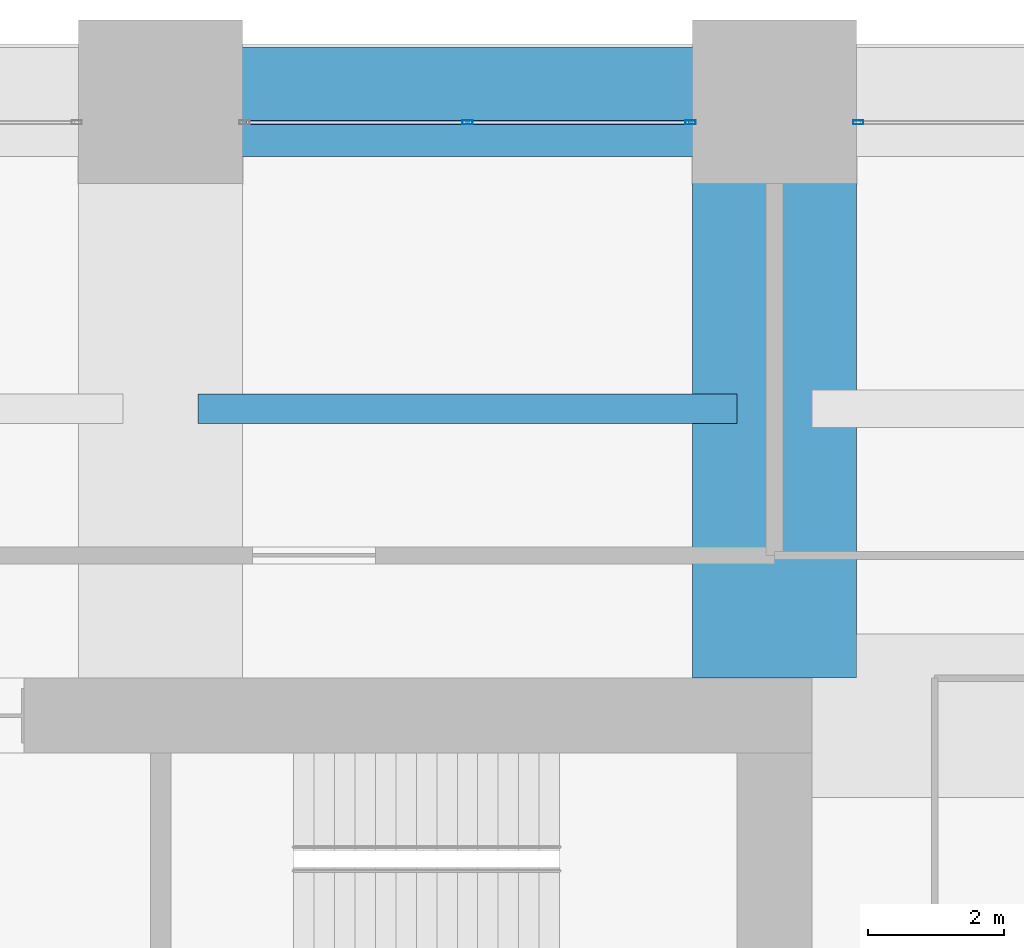
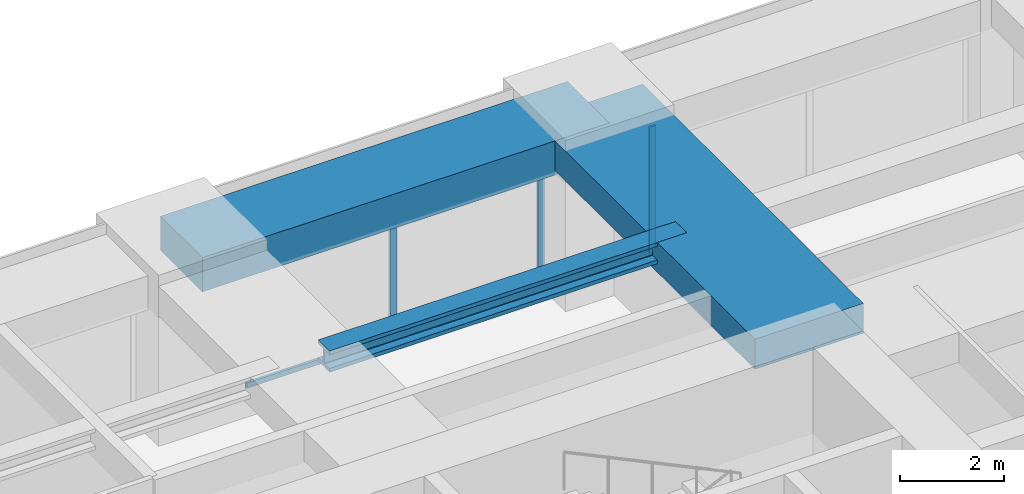
# One storey, part 31 of 42: 4 members, 3 beams, 2 elements without a shape of their own.
"""IFC4 building model written with IfcOpenShell, lengths in metres."""

from ifc_helpers import new_model, si_unit, direction, frame, origin, origin_2d, place, context, subcontext, project, spatial, rectangle, hollow_rectangle, i_section, extrude, material, material_profile, profile_set, type_object, element, aggregate, save


model = new_model("IFC4")

# Units and contexts
model_context = context("Model", 3, precision=1e-05, world=origin(), true_north=direction((0.0, 1.0)))
body_context = subcontext(model_context, "Body", "Model", "MODEL_VIEW")
ifc_project = project(units=[si_unit("LENGTHUNIT", "METRE"), si_unit("AREAUNIT", "SQUARE_METRE"), si_unit("VOLUMEUNIT", "CUBIC_METRE"), si_unit("PLANEANGLEUNIT", "RADIAN"), si_unit("MASSUNIT", "GRAM", prefix="KILO")], contexts=[model_context])

# Site, building, storey
site_placement = place(None, origin())
site = spatial("IfcSite", under=ifc_project, at=site_placement, CompositionType="ELEMENT")
building_placement = place(site_placement, origin())
building = spatial("IfcBuilding", under=site, at=building_placement, Name="Zorevar Civic Tower", CompositionType="ELEMENT")
storey_placement = place(building_placement, frame((0.0, 0.0, 149.0)))
storey = spatial("IfcBuildingStorey", under=building, at=storey_placement, Name="L36", CompositionType="ELEMENT", Elevation=149.0)

# Beam
ifc_material_1 = material(Name="Concrete C50/60", Category="concrete")
ifc_material_profile_1 = material_profile(ifc_material_1, rectangle(XDim=2.39990234375, YDim=0.699951171875, at=origin_2d()), Name="RC 2400x700")
ifc_profile_set_1 = profile_set([ifc_material_profile_1], Name="Concrete C50/60")
beam_type_1 = type_object("IfcBeamType", Name="Beam RC 2400x700", PredefinedType="BEAM", material=ifc_profile_set_1)
beam_1_placement = place(storey_placement, frame((45.0, 36.550048828125, 3.39990234375), z_axis=(0.0, 1.0, 0.0), x_axis=(-1.0, 0.0, 0.0)))
element("IfcBeam", 1, at=beam_1_placement, inside=storey, type_object=beam_type_1, Name="Girder L37", PredefinedType="BEAM", context=body_context, shape_type="SweptSolid", body=[
    extrude(rectangle(XDim=2.39990234375, YDim=0.699951171875, at=origin_2d()), origin(), (0.0, 0.0, 1.0), 8.449951171875),
])

# Curtain wall, members
ifc_material_2 = material(Name="Dark grey solar-control glass in black aluminium frame", Category="aluminium")
curtain_wall_type = type_object("IfcCurtainWallType", Name="Curtain wall CW3 mid zone", PredefinedType="NOTDEFINED", material=ifc_material_2)
curtain_wall_1_placement = place(storey_placement, origin())
curtain_wall_1 = element("IfcCurtainWall", 2, at=curtain_wall_1_placement, inside=storey, type_object=curtain_wall_type, Name="CW3 L36", PredefinedType="NOTDEFINED")
ifc_material_3 = material(Name="Aluminium, black anodised", Category="aluminium")
ifc_material_profile_2 = material_profile(ifc_material_3, hollow_rectangle(XDim=0.06005859375, YDim=0.14990234375, WallThickness=0.00390625, at=origin_2d()), Name="AL 150x60x4")
ifc_profile_set_2 = profile_set([ifc_material_profile_2], Name="Aluminium, black anodised")
member_type_1 = type_object("IfcMemberType", Name="CW3 mullion AL 150x60x4", PredefinedType="MULLION", material=ifc_profile_set_2)
member_1_placement = place(storey_placement, frame((40.5, 44.699951171875, 0.06005859375), z_axis=(0.0, 0.0, 1.0), x_axis=(0.0, 1.0, 0.0)))
member_1 = element("IfcMember", 3, at=member_1_placement, type_object=member_type_1, Name="CW3 mullion 2", PredefinedType="MULLION", context=body_context, shape_type="SweptSolid", body=[
    extrude(hollow_rectangle(XDim=0.06005859375, YDim=0.14990234375, WallThickness=0.00390625, at=origin_2d()), origin(), (0.0, 0.0, 1.0), 2.889892578125),
])
member_2_placement = place(storey_placement, frame((43.77001953125, 44.699951171875, 0.0), z_axis=(0.0, 0.0, 1.0), x_axis=(0.0, 1.0, 0.0)))
member_2 = element("IfcMember", 4, at=member_2_placement, type_object=member_type_1, Name="CW3 mullion 3", PredefinedType="MULLION", context=body_context, shape_type="SweptSolid", body=[
    extrude(hollow_rectangle(XDim=0.06005859375, YDim=0.14990234375, WallThickness=0.00390625, at=origin_2d()), origin(), (0.0, 0.0, 1.0), 2.949951171875),
])

# Curtain wall, member
curtain_wall_2_placement = place(storey_placement, origin())
curtain_wall_2 = element("IfcCurtainWall", 5, at=curtain_wall_2_placement, inside=storey, type_object=curtain_wall_type, Name="CW3 L36", PredefinedType="NOTDEFINED")
member_3_placement = place(storey_placement, frame((46.22998046875, 44.699951171875, 0.0), z_axis=(0.0, 0.0, 1.0), x_axis=(0.0, 1.0, 0.0)))
member_3 = element("IfcMember", 6, at=member_3_placement, type_object=member_type_1, Name="CW3 mullion 1", PredefinedType="MULLION", context=body_context, shape_type="SweptSolid", body=[
    extrude(hollow_rectangle(XDim=0.06005859375, YDim=0.14990234375, WallThickness=0.00390625, at=origin_2d()), origin(), (0.0, 0.0, 1.0), 2.949951171875),
])
aggregate(curtain_wall_2, [member_3])

# Member
ifc_material_4 = material(Name="Aluminium, black anodised", Category="aluminium")
ifc_material_profile_3 = material_profile(ifc_material_4, hollow_rectangle(XDim=0.06005859375, YDim=0.1201171875, WallThickness=0.0029296875, at=origin_2d()), Name="AL 120x60x3")
ifc_profile_set_3 = profile_set([ifc_material_profile_3], Name="Aluminium, black anodised")
member_type_2 = type_object("IfcMemberType", Name="CW3 transom AL 120x60x3", PredefinedType="USERDEFINED", material=ifc_profile_set_3)
member_4_placement = place(storey_placement, frame((37.260009765625, 44.699951171875, 0.030029296875), z_axis=(1.0, 0.0, 0.0), x_axis=(0.0, 1.0, 0.0)))
member_4 = element("IfcMember", 7, at=member_4_placement, type_object=member_type_2, Name="CW3 sill transom", ObjectType="TRANSOM", PredefinedType="USERDEFINED", context=body_context, shape_type="SweptSolid", body=[
    extrude(hollow_rectangle(XDim=0.06005859375, YDim=0.1201171875, WallThickness=0.0029296875, at=origin_2d()), origin(), (0.0, 0.0, 1.0), 6.47998046875),
])

aggregate(curtain_wall_1, [member_1, member_2, member_4])

# Beams
ifc_material_5 = material(Name="Steel S460M (HISTAR 460)", Category="steel")
ifc_material_profile_4 = material_profile(ifc_material_5, i_section(OverallWidth=0.431884765625, OverallDepth=0.498046875, WebThickness=0.0556640625, FlangeThickness=0.0888671875, FilletRadius=0.014892578125, at=origin_2d()), Name="HD 400x744")
ifc_profile_set_4 = profile_set([ifc_material_profile_4], Name="Steel S460M (HISTAR 460)")
beam_type_2 = type_object("IfcBeamType", Name="Core bay beam HD 400x744", PredefinedType="BEAM", material=ifc_profile_set_4)
beam_2_placement = place(storey_placement, frame((36.550048828125, 40.5, 3.5009765625), z_axis=(1.0, 0.0, 0.0), x_axis=(0.0, 1.0, 0.0)))
element("IfcBeam", 8, at=beam_2_placement, inside=storey, type_object=beam_type_2, Name="Secondary beam L37", PredefinedType="BEAM", context=body_context, shape_type="SweptSolid", body=[
    extrude(i_section(OverallWidth=0.431884765625, OverallDepth=0.498046875, WebThickness=0.0556640625, FlangeThickness=0.0888671875, FilletRadius=0.014892578125, at=origin_2d()), origin(), (0.0, 0.0, 1.0), 7.89990234375),
])
ifc_material_6 = material(Name="Concrete C50/60", Category="concrete")
ifc_material_profile_5 = material_profile(ifc_material_6, rectangle(XDim=1.60009765625, YDim=0.800048828125, at=origin_2d()), Name="RC 1600x800")
ifc_profile_set_5 = profile_set([ifc_material_profile_5], Name="Concrete C50/60")
beam_type_3 = type_object("IfcBeamType", Name="Edge beam RC 1600x800", PredefinedType="SPANDREL", material=ifc_profile_set_5)
beam_3_placement = place(storey_placement, frame((36.0, 45.0, 3.35009765625), z_axis=(1.0, 0.0, 0.0), x_axis=(0.0, 1.0, 0.0)))
element("IfcBeam", 9, at=beam_3_placement, inside=storey, type_object=beam_type_3, Name="Edge beam L37", PredefinedType="SPANDREL", context=body_context, shape_type="SweptSolid", body=[
    extrude(rectangle(XDim=1.60009765625, YDim=0.800048828125, at=origin_2d()), origin(), (0.0, 0.0, 1.0), 9.0),
])

save(model, "model.ifc")
